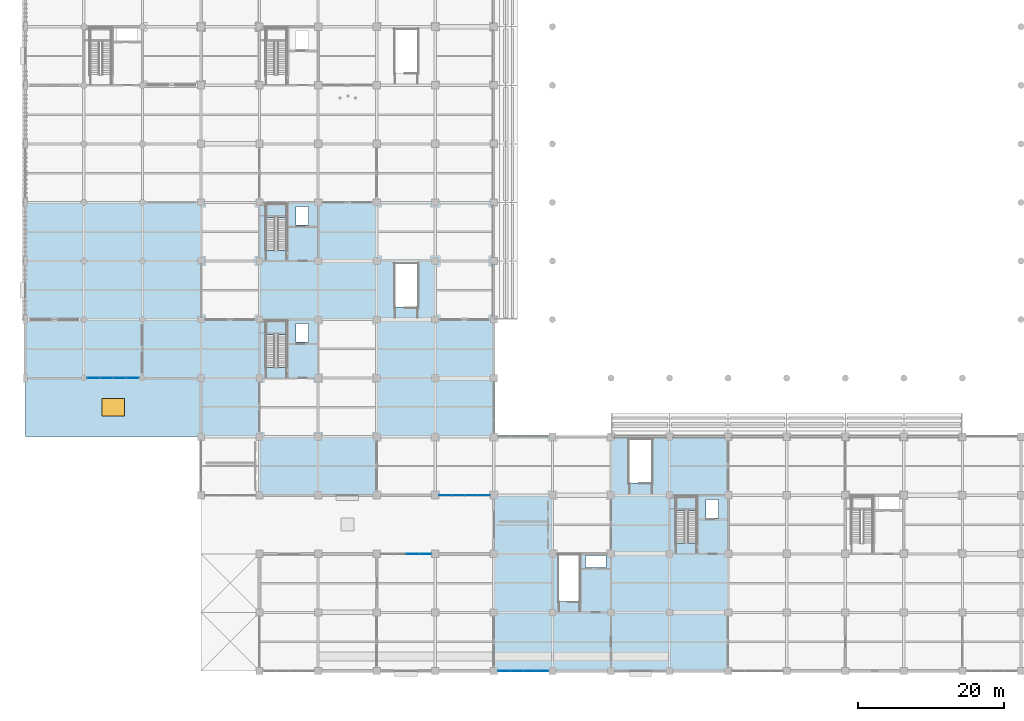
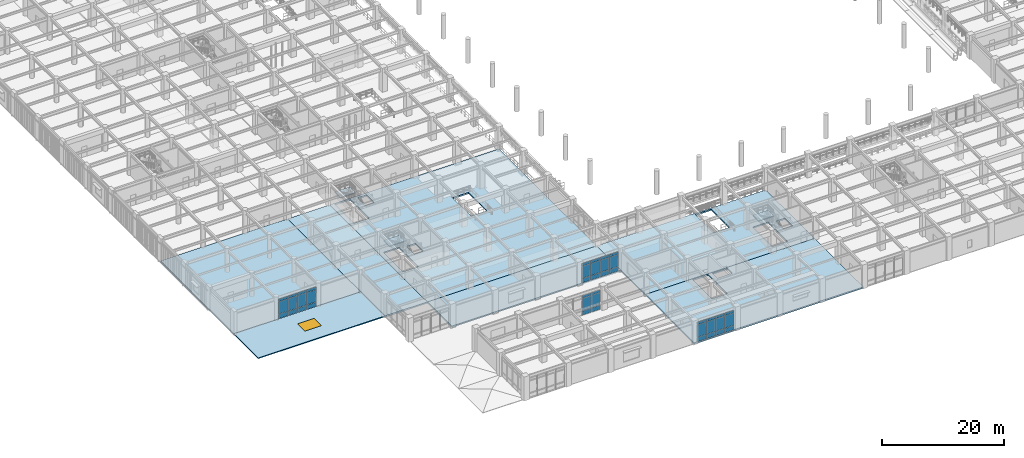
# One storey, part 57 of 117: 42 plates, 10 slabs, 1 window, 1 opening, 7 elements without a shape of their own.
"""IFC4 building model written with IfcOpenShell, lengths in metres."""

from ifc_helpers import new_model, si_unit, direction, frame, origin, origin_2d, place, context, subcontext, project, spatial, polyline, rectangle, outline, extrude, material, layer, layer_set, type_object, element, fill, aggregate, save


model = new_model("IFC4")

# Units and contexts
model_context = context("Model", 3, precision=1e-05, world=origin(), true_north=direction((0.0, 1.0)))
body_context = subcontext(model_context, "Body", "Model", "MODEL_VIEW")
ifc_project = project(units=[si_unit("LENGTHUNIT", "METRE"), si_unit("AREAUNIT", "SQUARE_METRE"), si_unit("VOLUMEUNIT", "CUBIC_METRE"), si_unit("PLANEANGLEUNIT", "RADIAN"), si_unit("MASSUNIT", "GRAM", prefix="KILO")], contexts=[model_context])

# Site, building, storey
site_placement = place(None, origin())
site = spatial("IfcSite", under=ifc_project, at=site_placement, CompositionType="ELEMENT")
building_placement = place(site_placement, origin())
building = spatial("IfcBuilding", under=site, at=building_placement, Name="Haebicheon Civic Stadium", CompositionType="ELEMENT")
storey_placement = place(building_placement, frame((0.0, 0.0, 4.800048828125)))
storey = spatial("IfcBuildingStorey", under=building, at=storey_placement, Name="L02", CompositionType="ELEMENT", Elevation=4.800048828125)

# Curtain wall, plates
ifc_material_1 = material(Name="Anodised aluminium and laminated glass", Category="aluminium")
ifc_layer_1 = layer(ifc_material_1, 0.179931640625, Name="Anodised aluminium and laminated glass")
ifc_layer_set_1 = layer_set([ifc_layer_1], Name="Anodised aluminium and laminated glass")
curtain_wall_type_1 = type_object("IfcCurtainWallType", Name="CW-7150x3950", PredefinedType="NOTDEFINED", material=ifc_layer_set_1)
curtain_wall_1_placement = place(storey_placement, origin())
curtain_wall_1 = element("IfcCurtainWall", 1, at=curtain_wall_1_placement, inside=storey, type_object=curtain_wall_type_1, material=ifc_layer_set_1, Name="L02 unitised curtain wall 033", PredefinedType="NOTDEFINED")
ifc_material_2 = material(Name="Double low-e laminated glass", Category="glass")
ifc_layer_2 = layer(ifc_material_2, 0.028076171875, Name="Double low-e laminated glass")
ifc_layer_set_2 = layer_set([ifc_layer_2], Name="Double low-e laminated glass")
plate_type_1 = type_object("IfcPlateType", Name="CWP-GLZ-28", PredefinedType="CURTAIN_PANEL", material=ifc_layer_set_2)
plate_1_placement = place(storey_placement, frame((9.3359375, 40.0, 0.93505859375), z_axis=(0.0, 0.0, 1.0), x_axis=(1.0, 0.0, 0.0)))
plate_1 = element("IfcPlate", 2, at=plate_1_placement, type_object=plate_type_1, material=ifc_layer_set_2, Name="CW-L02-033 vision panel 1.2", PredefinedType="CURTAIN_PANEL", context=body_context, shape_type="SweptSolid", body=[
    extrude(rectangle(XDim=1.68310546875, YDim=0.028076171875, at=origin_2d()), origin(), (0.0, 0.0, 1.0), 2.429931640625),
])
plate_2_placement = place(storey_placement, frame((11.10595703125, 40.0, 0.93505859375), z_axis=(0.0, 0.0, 1.0), x_axis=(1.0, 0.0, 0.0)))
plate_2 = element("IfcPlate", 3, at=plate_2_placement, type_object=plate_type_1, material=ifc_layer_set_2, Name="CW-L02-033 vision panel 2.2", PredefinedType="CURTAIN_PANEL", context=body_context, shape_type="SweptSolid", body=[
    extrude(rectangle(XDim=1.717041015625, YDim=0.028076171875, at=origin_2d()), origin(), (0.0, 0.0, 1.0), 2.429931640625),
])
plate_3_placement = place(storey_placement, frame((12.89404296875, 40.0, 0.93505859375), z_axis=(0.0, 0.0, 1.0), x_axis=(1.0, 0.0, 0.0)))
plate_3 = element("IfcPlate", 4, at=plate_3_placement, type_object=plate_type_1, material=ifc_layer_set_2, Name="CW-L02-033 vision panel 3.2", PredefinedType="CURTAIN_PANEL", context=body_context, shape_type="SweptSolid", body=[
    extrude(rectangle(XDim=1.718017578125, YDim=0.028076171875, at=origin_2d()), origin(), (0.0, 0.0, 1.0), 2.429931640625),
])
plate_4_placement = place(storey_placement, frame((14.6640625, 40.0, 0.93505859375), z_axis=(0.0, 0.0, 1.0), x_axis=(1.0, 0.0, 0.0)))
plate_4 = element("IfcPlate", 5, at=plate_4_placement, type_object=plate_type_1, material=ifc_layer_set_2, Name="CW-L02-033 vision panel 4.2", PredefinedType="CURTAIN_PANEL", context=body_context, shape_type="SweptSolid", body=[
    extrude(rectangle(XDim=1.681884765625, YDim=0.028076171875, at=origin_2d()), origin(), (0.0, 0.0, 1.0), 2.429931640625),
])

ifc_material_3 = material(Name="Anodised aluminium and laminated glass", Category="aluminium")
ifc_layer_3 = layer(ifc_material_3, 0.179931640625, Name="Anodised aluminium and laminated glass")
ifc_layer_set_3 = layer_set([ifc_layer_3], Name="Anodised aluminium and laminated glass")
curtain_wall_type_2 = type_object("IfcCurtainWallType", Name="CW-7000x3950", PredefinedType="NOTDEFINED", material=ifc_layer_set_3)
curtain_wall_2_placement = place(storey_placement, origin())
curtain_wall_2 = element("IfcCurtainWall", 6, at=curtain_wall_2_placement, inside=storey, type_object=curtain_wall_type_2, material=ifc_layer_set_3, Name="L02 unitised curtain wall 041", PredefinedType="NOTDEFINED")
plate_5_placement = place(storey_placement, frame((52.875, 16.0, 0.93505859375), z_axis=(0.0, 0.0, 1.0), x_axis=(1.0, 0.0, 0.0)))
plate_5 = element("IfcPlate", 7, at=plate_5_placement, type_object=plate_type_1, material=ifc_layer_set_2, Name="CW-L02-041 vision panel 3.2", PredefinedType="CURTAIN_PANEL", context=body_context, shape_type="SweptSolid", body=[
    extrude(rectangle(XDim=1.679931640625, YDim=0.028076171875, at=origin_2d()), origin(), (0.0, 0.0, 1.0), 2.429931640625),
])
plate_6_placement = place(storey_placement, frame((54.60791015625, 16.0, 0.93505859375), z_axis=(0.0, 0.0, 1.0), x_axis=(1.0, 0.0, 0.0)))
plate_6 = element("IfcPlate", 8, at=plate_6_placement, type_object=plate_type_1, material=ifc_layer_set_2, Name="CW-L02-041 vision panel 4.2", PredefinedType="CURTAIN_PANEL", context=body_context, shape_type="SweptSolid", body=[
    extrude(rectangle(XDim=1.64501953125, YDim=0.028076171875, at=origin_2d()), origin(), (0.0, 0.0, 1.0), 2.429931640625),
])

ifc_material_4 = material(Name="Anodised aluminium and laminated glass", Category="aluminium")
ifc_layer_4 = layer(ifc_material_4, 0.179931640625, Name="Anodised aluminium and laminated glass")
ifc_layer_set_4 = layer_set([ifc_layer_4], Name="Anodised aluminium and laminated glass")
curtain_wall_type_3 = type_object("IfcCurtainWallType", Name="CW-7000x3910", PredefinedType="NOTDEFINED", material=ifc_layer_set_4)
curtain_wall_3_placement = place(storey_placement, origin())
curtain_wall_3 = element("IfcCurtainWall", 9, at=curtain_wall_3_placement, inside=storey, type_object=curtain_wall_type_3, material=ifc_layer_set_4, Name="L02 unitised curtain wall 042", PredefinedType="NOTDEFINED")
plate_7_placement = place(storey_placement, frame((57.39208984375, 24.0, 0.93505859375), z_axis=(0.0, 0.0, 1.0), x_axis=(1.0, 0.0, 0.0)))
plate_7 = element("IfcPlate", 10, at=plate_7_placement, type_object=plate_type_1, material=ifc_layer_set_2, Name="CW-L02-042 vision panel 1.2", PredefinedType="CURTAIN_PANEL", context=body_context, shape_type="SweptSolid", body=[
    extrude(rectangle(XDim=1.64501953125, YDim=0.028076171875, at=origin_2d()), origin(), (0.0, 0.0, 1.0), 2.389892578125),
])
plate_8_placement = place(storey_placement, frame((59.125, 24.0, 0.93505859375), z_axis=(0.0, 0.0, 1.0), x_axis=(1.0, 0.0, 0.0)))
plate_8 = element("IfcPlate", 11, at=plate_8_placement, type_object=plate_type_1, material=ifc_layer_set_2, Name="CW-L02-042 vision panel 2.2", PredefinedType="CURTAIN_PANEL", context=body_context, shape_type="SweptSolid", body=[
    extrude(rectangle(XDim=1.679931640625, YDim=0.028076171875, at=origin_2d()), origin(), (0.0, 0.0, 1.0), 2.389892578125),
])
plate_9_placement = place(storey_placement, frame((60.875, 24.0, 0.93505859375), z_axis=(0.0, 0.0, 1.0), x_axis=(1.0, 0.0, 0.0)))
plate_9 = element("IfcPlate", 12, at=plate_9_placement, type_object=plate_type_1, material=ifc_layer_set_2, Name="CW-L02-042 vision panel 3.2", PredefinedType="CURTAIN_PANEL", context=body_context, shape_type="SweptSolid", body=[
    extrude(rectangle(XDim=1.679931640625, YDim=0.028076171875, at=origin_2d()), origin(), (0.0, 0.0, 1.0), 2.389892578125),
])
plate_10_placement = place(storey_placement, frame((62.60791015625, 24.0, 0.93505859375), z_axis=(0.0, 0.0, 1.0), x_axis=(1.0, 0.0, 0.0)))
plate_10 = element("IfcPlate", 13, at=plate_10_placement, type_object=plate_type_1, material=ifc_layer_set_2, Name="CW-L02-042 vision panel 4.2", PredefinedType="CURTAIN_PANEL", context=body_context, shape_type="SweptSolid", body=[
    extrude(rectangle(XDim=1.64501953125, YDim=0.028076171875, at=origin_2d()), origin(), (0.0, 0.0, 1.0), 2.389892578125),
])

curtain_wall_4_placement = place(storey_placement, origin())
curtain_wall_4 = element("IfcCurtainWall", 14, at=curtain_wall_4_placement, inside=storey, type_object=curtain_wall_type_2, material=ifc_layer_set_3, Name="L02 unitised curtain wall 044", PredefinedType="NOTDEFINED")
plate_11_placement = place(storey_placement, frame((65.39208984375, 0.0, 0.93505859375), z_axis=(0.0, 0.0, 1.0), x_axis=(1.0, 0.0, 0.0)))
plate_11 = element("IfcPlate", 15, at=plate_11_placement, type_object=plate_type_1, material=ifc_layer_set_2, Name="CW-L02-044 vision panel 1.2", PredefinedType="CURTAIN_PANEL", context=body_context, shape_type="SweptSolid", body=[
    extrude(rectangle(XDim=1.64501953125, YDim=0.028076171875, at=origin_2d()), origin(), (0.0, 0.0, 1.0), 2.429931640625),
])
plate_12_placement = place(storey_placement, frame((67.125, 0.0, 0.93505859375), z_axis=(0.0, 0.0, 1.0), x_axis=(1.0, 0.0, 0.0)))
plate_12 = element("IfcPlate", 16, at=plate_12_placement, type_object=plate_type_1, material=ifc_layer_set_2, Name="CW-L02-044 vision panel 2.2", PredefinedType="CURTAIN_PANEL", context=body_context, shape_type="SweptSolid", body=[
    extrude(rectangle(XDim=1.679931640625, YDim=0.028076171875, at=origin_2d()), origin(), (0.0, 0.0, 1.0), 2.429931640625),
])
plate_13_placement = place(storey_placement, frame((68.875, 0.0, 0.93505859375), z_axis=(0.0, 0.0, 1.0), x_axis=(1.0, 0.0, 0.0)))
plate_13 = element("IfcPlate", 17, at=plate_13_placement, type_object=plate_type_1, material=ifc_layer_set_2, Name="CW-L02-044 vision panel 3.2", PredefinedType="CURTAIN_PANEL", context=body_context, shape_type="SweptSolid", body=[
    extrude(rectangle(XDim=1.679931640625, YDim=0.028076171875, at=origin_2d()), origin(), (0.0, 0.0, 1.0), 2.429931640625),
])
plate_14_placement = place(storey_placement, frame((70.60791015625, 0.0, 0.93505859375), z_axis=(0.0, 0.0, 1.0), x_axis=(1.0, 0.0, 0.0)))
plate_14 = element("IfcPlate", 18, at=plate_14_placement, type_object=plate_type_1, material=ifc_layer_set_2, Name="CW-L02-044 vision panel 4.2", PredefinedType="CURTAIN_PANEL", context=body_context, shape_type="SweptSolid", body=[
    extrude(rectangle(XDim=1.64501953125, YDim=0.028076171875, at=origin_2d()), origin(), (0.0, 0.0, 1.0), 2.429931640625),
])

# Plate
ifc_material_5 = material(Name="Anodised aluminium 6063-T6", Category="aluminium")
ifc_layer_5 = layer(ifc_material_5, 0.053955078125, Name="Anodised aluminium 6063-T6")
ifc_layer_set_5 = layer_set([ifc_layer_5], Name="Anodised aluminium 6063-T6")
plate_type_2 = type_object("IfcPlateType", Name="CWP-SPD-54", PredefinedType="CURTAIN_PANEL", material=ifc_layer_set_5)
plate_15_placement = place(storey_placement, frame((9.3359375, 40.0, 0.034912109375), z_axis=(0.0, 0.0, 1.0), x_axis=(1.0, 0.0, 0.0)))
plate_15 = element("IfcPlate", 19, at=plate_15_placement, type_object=plate_type_2, material=ifc_layer_set_5, Name="CW-L02-033 spandrel panel 1.1", PredefinedType="CURTAIN_PANEL", context=body_context, shape_type="SweptSolid", body=[
    extrude(rectangle(XDim=1.68310546875, YDim=0.053955078125, at=origin_2d()), origin(), (0.0, 0.0, 1.0), 0.830078125),
])

plate_16_placement = place(storey_placement, frame((9.3359375, 40.0, 3.43505859375), z_axis=(0.0, 0.0, 1.0), x_axis=(1.0, 0.0, 0.0)))
plate_16 = element("IfcPlate", 20, at=plate_16_placement, type_object=plate_type_2, material=ifc_layer_set_5, Name="CW-L02-033 spandrel panel 1.3", PredefinedType="CURTAIN_PANEL", context=body_context, shape_type="SweptSolid", body=[
    extrude(rectangle(XDim=1.68310546875, YDim=0.053955078125, at=origin_2d()), origin(), (0.0, 0.0, 1.0), 0.47998046875),
])

plate_17_placement = place(storey_placement, frame((11.10595703125, 40.0, 0.034912109375), z_axis=(0.0, 0.0, 1.0), x_axis=(1.0, 0.0, 0.0)))
plate_17 = element("IfcPlate", 21, at=plate_17_placement, type_object=plate_type_2, material=ifc_layer_set_5, Name="CW-L02-033 spandrel panel 2.1", PredefinedType="CURTAIN_PANEL", context=body_context, shape_type="SweptSolid", body=[
    extrude(rectangle(XDim=1.717041015625, YDim=0.053955078125, at=origin_2d()), origin(), (0.0, 0.0, 1.0), 0.830078125),
])

plate_18_placement = place(storey_placement, frame((11.10595703125, 40.0, 3.43505859375), z_axis=(0.0, 0.0, 1.0), x_axis=(1.0, 0.0, 0.0)))
plate_18 = element("IfcPlate", 22, at=plate_18_placement, type_object=plate_type_2, material=ifc_layer_set_5, Name="CW-L02-033 spandrel panel 2.3", PredefinedType="CURTAIN_PANEL", context=body_context, shape_type="SweptSolid", body=[
    extrude(rectangle(XDim=1.717041015625, YDim=0.053955078125, at=origin_2d()), origin(), (0.0, 0.0, 1.0), 0.47998046875),
])

plate_19_placement = place(storey_placement, frame((12.89404296875, 40.0, 0.034912109375), z_axis=(0.0, 0.0, 1.0), x_axis=(1.0, 0.0, 0.0)))
plate_19 = element("IfcPlate", 23, at=plate_19_placement, type_object=plate_type_2, material=ifc_layer_set_5, Name="CW-L02-033 spandrel panel 3.1", PredefinedType="CURTAIN_PANEL", context=body_context, shape_type="SweptSolid", body=[
    extrude(rectangle(XDim=1.718017578125, YDim=0.053955078125, at=origin_2d()), origin(), (0.0, 0.0, 1.0), 0.830078125),
])

plate_20_placement = place(storey_placement, frame((12.89404296875, 40.0, 3.43505859375), z_axis=(0.0, 0.0, 1.0), x_axis=(1.0, 0.0, 0.0)))
plate_20 = element("IfcPlate", 24, at=plate_20_placement, type_object=plate_type_2, material=ifc_layer_set_5, Name="CW-L02-033 spandrel panel 3.3", PredefinedType="CURTAIN_PANEL", context=body_context, shape_type="SweptSolid", body=[
    extrude(rectangle(XDim=1.718017578125, YDim=0.053955078125, at=origin_2d()), origin(), (0.0, 0.0, 1.0), 0.47998046875),
])

plate_21_placement = place(storey_placement, frame((14.6640625, 40.0, 0.034912109375), z_axis=(0.0, 0.0, 1.0), x_axis=(1.0, 0.0, 0.0)))
plate_21 = element("IfcPlate", 25, at=plate_21_placement, type_object=plate_type_2, material=ifc_layer_set_5, Name="CW-L02-033 spandrel panel 4.1", PredefinedType="CURTAIN_PANEL", context=body_context, shape_type="SweptSolid", body=[
    extrude(rectangle(XDim=1.681884765625, YDim=0.053955078125, at=origin_2d()), origin(), (0.0, 0.0, 1.0), 0.830078125),
])

plate_22_placement = place(storey_placement, frame((14.6640625, 40.0, 3.43505859375), z_axis=(0.0, 0.0, 1.0), x_axis=(1.0, 0.0, 0.0)))
plate_22 = element("IfcPlate", 26, at=plate_22_placement, type_object=plate_type_2, material=ifc_layer_set_5, Name="CW-L02-033 spandrel panel 4.3", PredefinedType="CURTAIN_PANEL", context=body_context, shape_type="SweptSolid", body=[
    extrude(rectangle(XDim=1.681884765625, YDim=0.053955078125, at=origin_2d()), origin(), (0.0, 0.0, 1.0), 0.47998046875),
])

aggregate(curtain_wall_1, [plate_15, plate_1, plate_16, plate_17, plate_2, plate_18, plate_19, plate_3, plate_20, plate_21, plate_4, plate_22])

plate_23_placement = place(storey_placement, frame((52.875, 16.0, 0.034912109375), z_axis=(0.0, 0.0, 1.0), x_axis=(1.0, 0.0, 0.0)))
plate_23 = element("IfcPlate", 27, at=plate_23_placement, type_object=plate_type_2, material=ifc_layer_set_5, Name="CW-L02-041 spandrel panel 3.1", PredefinedType="CURTAIN_PANEL", context=body_context, shape_type="SweptSolid", body=[
    extrude(rectangle(XDim=1.679931640625, YDim=0.053955078125, at=origin_2d()), origin(), (0.0, 0.0, 1.0), 0.830078125),
])

plate_24_placement = place(storey_placement, frame((52.875, 16.0, 3.43505859375), z_axis=(0.0, 0.0, 1.0), x_axis=(1.0, 0.0, 0.0)))
plate_24 = element("IfcPlate", 28, at=plate_24_placement, type_object=plate_type_2, material=ifc_layer_set_5, Name="CW-L02-041 spandrel panel 3.3", PredefinedType="CURTAIN_PANEL", context=body_context, shape_type="SweptSolid", body=[
    extrude(rectangle(XDim=1.679931640625, YDim=0.053955078125, at=origin_2d()), origin(), (0.0, 0.0, 1.0), 0.47998046875),
])

plate_25_placement = place(storey_placement, frame((54.60791015625, 16.0, 0.034912109375), z_axis=(0.0, 0.0, 1.0), x_axis=(1.0, 0.0, 0.0)))
plate_25 = element("IfcPlate", 29, at=plate_25_placement, type_object=plate_type_2, material=ifc_layer_set_5, Name="CW-L02-041 spandrel panel 4.1", PredefinedType="CURTAIN_PANEL", context=body_context, shape_type="SweptSolid", body=[
    extrude(rectangle(XDim=1.64501953125, YDim=0.053955078125, at=origin_2d()), origin(), (0.0, 0.0, 1.0), 0.830078125),
])

plate_26_placement = place(storey_placement, frame((54.60791015625, 16.0, 3.43505859375), z_axis=(0.0, 0.0, 1.0), x_axis=(1.0, 0.0, 0.0)))
plate_26 = element("IfcPlate", 30, at=plate_26_placement, type_object=plate_type_2, material=ifc_layer_set_5, Name="CW-L02-041 spandrel panel 4.3", PredefinedType="CURTAIN_PANEL", context=body_context, shape_type="SweptSolid", body=[
    extrude(rectangle(XDim=1.64501953125, YDim=0.053955078125, at=origin_2d()), origin(), (0.0, 0.0, 1.0), 0.47998046875),
])

aggregate(curtain_wall_2, [plate_23, plate_5, plate_24, plate_25, plate_6, plate_26])

plate_27_placement = place(storey_placement, frame((57.39208984375, 24.0, 0.034912109375), z_axis=(0.0, 0.0, 1.0), x_axis=(1.0, 0.0, 0.0)))
plate_27 = element("IfcPlate", 31, at=plate_27_placement, type_object=plate_type_2, material=ifc_layer_set_5, Name="CW-L02-042 spandrel panel 1.1", PredefinedType="CURTAIN_PANEL", context=body_context, shape_type="SweptSolid", body=[
    extrude(rectangle(XDim=1.64501953125, YDim=0.053955078125, at=origin_2d()), origin(), (0.0, 0.0, 1.0), 0.830078125),
])

plate_28_placement = place(storey_placement, frame((57.39208984375, 24.0, 3.39501953125), z_axis=(0.0, 0.0, 1.0), x_axis=(1.0, 0.0, 0.0)))
plate_28 = element("IfcPlate", 32, at=plate_28_placement, type_object=plate_type_2, material=ifc_layer_set_5, Name="CW-L02-042 spandrel panel 1.3", PredefinedType="CURTAIN_PANEL", context=body_context, shape_type="SweptSolid", body=[
    extrude(rectangle(XDim=1.64501953125, YDim=0.053955078125, at=origin_2d()), origin(), (0.0, 0.0, 1.0), 0.47998046875),
])

plate_29_placement = place(storey_placement, frame((59.125, 24.0, 0.034912109375), z_axis=(0.0, 0.0, 1.0), x_axis=(1.0, 0.0, 0.0)))
plate_29 = element("IfcPlate", 33, at=plate_29_placement, type_object=plate_type_2, material=ifc_layer_set_5, Name="CW-L02-042 spandrel panel 2.1", PredefinedType="CURTAIN_PANEL", context=body_context, shape_type="SweptSolid", body=[
    extrude(rectangle(XDim=1.679931640625, YDim=0.053955078125, at=origin_2d()), origin(), (0.0, 0.0, 1.0), 0.830078125),
])

plate_30_placement = place(storey_placement, frame((59.125, 24.0, 3.39501953125), z_axis=(0.0, 0.0, 1.0), x_axis=(1.0, 0.0, 0.0)))
plate_30 = element("IfcPlate", 34, at=plate_30_placement, type_object=plate_type_2, material=ifc_layer_set_5, Name="CW-L02-042 spandrel panel 2.3", PredefinedType="CURTAIN_PANEL", context=body_context, shape_type="SweptSolid", body=[
    extrude(rectangle(XDim=1.679931640625, YDim=0.053955078125, at=origin_2d()), origin(), (0.0, 0.0, 1.0), 0.47998046875),
])

plate_31_placement = place(storey_placement, frame((60.875, 24.0, 0.034912109375), z_axis=(0.0, 0.0, 1.0), x_axis=(1.0, 0.0, 0.0)))
plate_31 = element("IfcPlate", 35, at=plate_31_placement, type_object=plate_type_2, material=ifc_layer_set_5, Name="CW-L02-042 spandrel panel 3.1", PredefinedType="CURTAIN_PANEL", context=body_context, shape_type="SweptSolid", body=[
    extrude(rectangle(XDim=1.679931640625, YDim=0.053955078125, at=origin_2d()), origin(), (0.0, 0.0, 1.0), 0.830078125),
])

plate_32_placement = place(storey_placement, frame((60.875, 24.0, 3.39501953125), z_axis=(0.0, 0.0, 1.0), x_axis=(1.0, 0.0, 0.0)))
plate_32 = element("IfcPlate", 36, at=plate_32_placement, type_object=plate_type_2, material=ifc_layer_set_5, Name="CW-L02-042 spandrel panel 3.3", PredefinedType="CURTAIN_PANEL", context=body_context, shape_type="SweptSolid", body=[
    extrude(rectangle(XDim=1.679931640625, YDim=0.053955078125, at=origin_2d()), origin(), (0.0, 0.0, 1.0), 0.47998046875),
])

plate_33_placement = place(storey_placement, frame((62.60791015625, 24.0, 0.034912109375), z_axis=(0.0, 0.0, 1.0), x_axis=(1.0, 0.0, 0.0)))
plate_33 = element("IfcPlate", 37, at=plate_33_placement, type_object=plate_type_2, material=ifc_layer_set_5, Name="CW-L02-042 spandrel panel 4.1", PredefinedType="CURTAIN_PANEL", context=body_context, shape_type="SweptSolid", body=[
    extrude(rectangle(XDim=1.64501953125, YDim=0.053955078125, at=origin_2d()), origin(), (0.0, 0.0, 1.0), 0.830078125),
])

plate_34_placement = place(storey_placement, frame((62.60791015625, 24.0, 3.39501953125), z_axis=(0.0, 0.0, 1.0), x_axis=(1.0, 0.0, 0.0)))
plate_34 = element("IfcPlate", 38, at=plate_34_placement, type_object=plate_type_2, material=ifc_layer_set_5, Name="CW-L02-042 spandrel panel 4.3", PredefinedType="CURTAIN_PANEL", context=body_context, shape_type="SweptSolid", body=[
    extrude(rectangle(XDim=1.64501953125, YDim=0.053955078125, at=origin_2d()), origin(), (0.0, 0.0, 1.0), 0.47998046875),
])

aggregate(curtain_wall_3, [plate_27, plate_7, plate_28, plate_29, plate_8, plate_30, plate_31, plate_9, plate_32, plate_33, plate_10, plate_34])

plate_35_placement = place(storey_placement, frame((65.39208984375, 0.0, 0.034912109375), z_axis=(0.0, 0.0, 1.0), x_axis=(1.0, 0.0, 0.0)))
plate_35 = element("IfcPlate", 39, at=plate_35_placement, type_object=plate_type_2, material=ifc_layer_set_5, Name="CW-L02-044 spandrel panel 1.1", PredefinedType="CURTAIN_PANEL", context=body_context, shape_type="SweptSolid", body=[
    extrude(rectangle(XDim=1.64501953125, YDim=0.053955078125, at=origin_2d()), origin(), (0.0, 0.0, 1.0), 0.830078125),
])

plate_36_placement = place(storey_placement, frame((65.39208984375, 0.0, 3.43505859375), z_axis=(0.0, 0.0, 1.0), x_axis=(1.0, 0.0, 0.0)))
plate_36 = element("IfcPlate", 40, at=plate_36_placement, type_object=plate_type_2, material=ifc_layer_set_5, Name="CW-L02-044 spandrel panel 1.3", PredefinedType="CURTAIN_PANEL", context=body_context, shape_type="SweptSolid", body=[
    extrude(rectangle(XDim=1.64501953125, YDim=0.053955078125, at=origin_2d()), origin(), (0.0, 0.0, 1.0), 0.47998046875),
])

plate_37_placement = place(storey_placement, frame((67.125, 0.0, 0.034912109375), z_axis=(0.0, 0.0, 1.0), x_axis=(1.0, 0.0, 0.0)))
plate_37 = element("IfcPlate", 41, at=plate_37_placement, type_object=plate_type_2, material=ifc_layer_set_5, Name="CW-L02-044 spandrel panel 2.1", PredefinedType="CURTAIN_PANEL", context=body_context, shape_type="SweptSolid", body=[
    extrude(rectangle(XDim=1.679931640625, YDim=0.053955078125, at=origin_2d()), origin(), (0.0, 0.0, 1.0), 0.830078125),
])

plate_38_placement = place(storey_placement, frame((67.125, 0.0, 3.43505859375), z_axis=(0.0, 0.0, 1.0), x_axis=(1.0, 0.0, 0.0)))
plate_38 = element("IfcPlate", 42, at=plate_38_placement, type_object=plate_type_2, material=ifc_layer_set_5, Name="CW-L02-044 spandrel panel 2.3", PredefinedType="CURTAIN_PANEL", context=body_context, shape_type="SweptSolid", body=[
    extrude(rectangle(XDim=1.679931640625, YDim=0.053955078125, at=origin_2d()), origin(), (0.0, 0.0, 1.0), 0.47998046875),
])

plate_39_placement = place(storey_placement, frame((68.875, 0.0, 0.034912109375), z_axis=(0.0, 0.0, 1.0), x_axis=(1.0, 0.0, 0.0)))
plate_39 = element("IfcPlate", 43, at=plate_39_placement, type_object=plate_type_2, material=ifc_layer_set_5, Name="CW-L02-044 spandrel panel 3.1", PredefinedType="CURTAIN_PANEL", context=body_context, shape_type="SweptSolid", body=[
    extrude(rectangle(XDim=1.679931640625, YDim=0.053955078125, at=origin_2d()), origin(), (0.0, 0.0, 1.0), 0.830078125),
])

plate_40_placement = place(storey_placement, frame((68.875, 0.0, 3.43505859375), z_axis=(0.0, 0.0, 1.0), x_axis=(1.0, 0.0, 0.0)))
plate_40 = element("IfcPlate", 44, at=plate_40_placement, type_object=plate_type_2, material=ifc_layer_set_5, Name="CW-L02-044 spandrel panel 3.3", PredefinedType="CURTAIN_PANEL", context=body_context, shape_type="SweptSolid", body=[
    extrude(rectangle(XDim=1.679931640625, YDim=0.053955078125, at=origin_2d()), origin(), (0.0, 0.0, 1.0), 0.47998046875),
])

plate_41_placement = place(storey_placement, frame((70.60791015625, 0.0, 0.034912109375), z_axis=(0.0, 0.0, 1.0), x_axis=(1.0, 0.0, 0.0)))
plate_41 = element("IfcPlate", 45, at=plate_41_placement, type_object=plate_type_2, material=ifc_layer_set_5, Name="CW-L02-044 spandrel panel 4.1", PredefinedType="CURTAIN_PANEL", context=body_context, shape_type="SweptSolid", body=[
    extrude(rectangle(XDim=1.64501953125, YDim=0.053955078125, at=origin_2d()), origin(), (0.0, 0.0, 1.0), 0.830078125),
])

plate_42_placement = place(storey_placement, frame((70.60791015625, 0.0, 3.43505859375), z_axis=(0.0, 0.0, 1.0), x_axis=(1.0, 0.0, 0.0)))
plate_42 = element("IfcPlate", 46, at=plate_42_placement, type_object=plate_type_2, material=ifc_layer_set_5, Name="CW-L02-044 spandrel panel 4.3", PredefinedType="CURTAIN_PANEL", context=body_context, shape_type="SweptSolid", body=[
    extrude(rectangle(XDim=1.64501953125, YDim=0.053955078125, at=origin_2d()), origin(), (0.0, 0.0, 1.0), 0.47998046875),
])

aggregate(curtain_wall_4, [plate_35, plate_11, plate_36, plate_37, plate_12, plate_38, plate_39, plate_13, plate_40, plate_41, plate_14, plate_42])

# Slabs
ifc_material_6 = material(Name="Concrete C40/50", Category="concrete")
ifc_layer_6 = layer(ifc_material_6, 0.280029296875, Name="Concrete C40/50")
ifc_layer_set_6 = layer_set([ifc_layer_6], Name="Concrete C40/50")
slab_type_1 = type_object("IfcSlabType", Name="SLB-FLR-280", PredefinedType="FLOOR", material=ifc_layer_set_6)
slab_1_placement = place(storey_placement, frame((0.0, 0.0, -0.280029296875)))
element("IfcSlab", 47, at=slab_1_placement, inside=storey, type_object=slab_type_1, material=ifc_layer_set_6, Name="L02 V1 structural slab 2.1", PredefinedType="FLOOR", context=body_context, shape_type="SweptSolid", body=[
    extrude(outline(polyline([(24.0, 32.0), (24.0, 40.0), (24.0, 48.0), (24.0, 56.0), (24.0, 64.0), (32.0, 64.0), (32.0, 56.0), (32.0, 48.0), (32.0, 40.0), (32.0, 32.0), (24.0, 32.0)])), origin(), (0.0, 0.0, 1.0), 0.280029296875),
])
slab_2_placement = place(storey_placement, frame((0.0, 0.0, -0.280029296875)))
element("IfcSlab", 48, at=slab_2_placement, inside=storey, type_object=slab_type_1, material=ifc_layer_set_6, Name="L02 V1 structural slab 7.1", PredefinedType="FLOOR", context=body_context, shape_type="SweptSolid", body=[
    extrude(outline(polyline([(32.0, 32.0), (40.0, 32.0), (48.0, 32.0), (56.0, 32.0), (64.0, 32.0), (64.0, 24.0), (56.0, 24.0), (48.0, 24.0), (40.0, 24.0), (32.0, 24.0), (32.0, 32.0)])), origin(), (0.0, 0.0, 1.0), 0.280029296875),
])
slab_3_placement = place(storey_placement, frame((0.0, 0.0, -0.280029296875)))
element("IfcSlab", 49, at=slab_3_placement, inside=storey, type_object=slab_type_1, material=ifc_layer_set_6, Name="L02 V1 structural slab 8.1", PredefinedType="FLOOR", context=body_context, shape_type="SweptSolid", body=[
    extrude(outline(polyline([(32.0, 56.0), (32.0, 64.0), (40.0, 64.0), (48.0, 64.0), (56.0, 64.0), (64.0, 64.0), (64.0, 56.0), (64.0, 48.0), (64.0, 40.0), (64.0, 32.0), (56.0, 32.0), (48.0, 32.0), (40.0, 32.0), (32.0, 32.0), (32.0, 40.0), (32.0, 48.0), (32.0, 56.0)]), holes=[polyline([(32.840087890625, 41.4599609375), (35.739990234375, 41.4599609375), (35.739990234375, 47.840087890625), (32.840087890625, 47.840087890625), (32.840087890625, 41.4599609375)]), polyline([(36.969970703125, 44.929931640625), (38.669921875, 44.929931640625), (38.669921875, 47.429931640625), (36.969970703125, 47.429931640625), (36.969970703125, 44.929931640625)]), polyline([(32.840087890625, 57.4599609375), (35.739990234375, 57.4599609375), (35.739990234375, 63.840087890625), (32.840087890625, 63.840087890625), (32.840087890625, 57.4599609375)]), polyline([(36.969970703125, 60.929931640625), (38.669921875, 60.929931640625), (38.669921875, 63.429931640625), (36.969970703125, 63.429931640625), (36.969970703125, 60.929931640625)]), polyline([(50.4599609375, 49.699951171875), (53.5, 49.699951171875), (53.5, 55.699951171875), (50.4599609375, 55.699951171875), (50.4599609375, 49.699951171875)])]), origin(), (0.0, 0.0, 1.0), 0.280029296875),
])
slab_4_placement = place(storey_placement, frame((0.0, 0.0, -0.280029296875)))
element("IfcSlab", 50, at=slab_4_placement, inside=storey, type_object=slab_type_1, material=ifc_layer_set_6, Name="L02 V2 structural slab 1.1", PredefinedType="FLOOR", context=body_context, shape_type="SweptSolid", body=[
    extrude(outline(polyline([(96.0, 16.0), (88.0, 16.0), (80.0, 16.0), (72.0, 16.0), (64.0, 16.0), (64.0, 24.0), (64.0, 32.0), (72.0, 32.0), (80.0, 32.0), (88.0, 32.0), (96.0, 32.0), (96.0, 24.0), (96.0, 16.0)]), holes=[polyline([(88.840087890625, 17.4599609375), (91.739990234375, 17.4599609375), (91.739990234375, 23.840087890625), (88.840087890625, 23.840087890625), (88.840087890625, 17.4599609375)]), polyline([(92.969970703125, 20.929931640625), (94.669921875, 20.929931640625), (94.669921875, 23.429931640625), (92.969970703125, 23.429931640625), (92.969970703125, 20.929931640625)]), polyline([(82.4599609375, 25.699951171875), (85.5, 25.699951171875), (85.5, 31.699951171875), (82.4599609375, 31.699951171875), (82.4599609375, 25.699951171875)])]), origin(), (0.0, 0.0, 1.0), 0.280029296875),
])
slab_5_placement = place(storey_placement, frame((0.0, 0.0, -0.280029296875)))
element("IfcSlab", 51, at=slab_5_placement, inside=storey, type_object=slab_type_1, material=ifc_layer_set_6, Name="L02 V5 structural slab 1.1", PredefinedType="FLOOR", context=body_context, shape_type="SweptSolid", body=[
    extrude(outline(polyline([(0.0, 56.0), (0.0, 64.0), (8.0, 64.0), (16.0, 64.0), (24.0, 64.0), (24.0, 56.0), (24.0, 48.0), (24.0, 40.0), (16.0, 40.0), (8.0, 40.0), (0.0, 40.0), (0.0, 48.0), (0.0, 56.0)])), origin(), (0.0, 0.0, 1.0), 0.280029296875),
])
slab_6_placement = place(storey_placement, frame((0.0, 0.0, -0.280029296875)))
element("IfcSlab", 52, at=slab_6_placement, inside=storey, type_object=slab_type_1, material=ifc_layer_set_6, Name="L02 V6 structural slab 2.1", PredefinedType="FLOOR", context=body_context, shape_type="SweptSolid", body=[
    extrude(outline(polyline([(96.0, 0.0), (88.0, 0.0), (80.0, 0.0), (72.0, 0.0), (64.0, 0.0), (64.0, 8.0), (64.0, 16.0), (72.0, 16.0), (80.0, 16.0), (88.0, 16.0), (96.0, 16.0), (96.0, 8.0), (96.0, 0.0)]), holes=[polyline([(72.840087890625, 9.4599609375), (75.739990234375, 9.4599609375), (75.739990234375, 15.840087890625), (72.840087890625, 15.840087890625), (72.840087890625, 9.4599609375)]), polyline([(76.550048828125, 14.14990234375), (79.35009765625, 14.14990234375), (79.35009765625, 15.75), (76.550048828125, 15.75), (76.550048828125, 14.14990234375)])]), origin(), (0.0, 0.0, 1.0), 0.280029296875),
])

# Stair, slab
ifc_material_7 = material(Name="Concrete C40/50", Category="concrete")
stair_type_1 = type_object("IfcStairType", Name="STR-DL-W126-H48", PredefinedType="HALF_TURN_STAIR", material=ifc_material_7)
stair_1_placement = place(storey_placement, origin())
stair_1 = element("IfcStair", 53, at=stair_1_placement, inside=storey, type_object=stair_type_1, material=ifc_material_7, Name="L02 Escape stair ST-01", PredefinedType="HALF_TURN_STAIR")
ifc_material_8 = material(Name="Concrete C40/50", Category="concrete")
ifc_layer_7 = layer(ifc_material_8, 0.199951171875, Name="Concrete C40/50")
ifc_layer_set_7 = layer_set([ifc_layer_7], Name="Concrete C40/50")
slab_type_2 = type_object("IfcSlabType", Name="SLB-LND-200", PredefinedType="LANDING", material=ifc_layer_set_7)
slab_7_placement = place(storey_placement, frame((0.0, 0.0, 2.199951171875)))
slab_7 = element("IfcSlab", 54, at=slab_7_placement, type_object=slab_type_2, material=ifc_layer_set_7, Name="ST-01 landing 1", PredefinedType="LANDING", context=body_context, shape_type="SweptSolid", body=[
    extrude(outline(polyline([(35.739990234375, 45.949951171875), (35.739990234375, 47.840087890625), (32.840087890625, 47.840087890625), (32.840087890625, 45.949951171875), (35.739990234375, 45.949951171875)])), origin(), (0.0, 0.0, 1.0), 0.199951171875),
])
aggregate(stair_1, [slab_7])

ifc_material_9 = material(Name="Concrete C40/50", Category="concrete")
stair_type_2 = type_object("IfcStairType", Name="STR-DL-W128-H48", PredefinedType="HALF_TURN_STAIR", material=ifc_material_9)
stair_2_placement = place(storey_placement, origin())
stair_2 = element("IfcStair", 55, at=stair_2_placement, inside=storey, type_object=stair_type_2, material=ifc_material_9, Name="L02 Escape stair ST-02", PredefinedType="HALF_TURN_STAIR")
slab_8_placement = place(storey_placement, frame((0.0, 0.0, 2.199951171875)))
slab_8 = element("IfcSlab", 56, at=slab_8_placement, type_object=slab_type_2, material=ifc_layer_set_7, Name="ST-02 landing 1", PredefinedType="LANDING", context=body_context, shape_type="SweptSolid", body=[
    extrude(outline(polyline([(35.739990234375, 61.949951171875), (35.739990234375, 63.840087890625), (32.840087890625, 63.840087890625), (32.840087890625, 61.949951171875), (35.739990234375, 61.949951171875)])), origin(), (0.0, 0.0, 1.0), 0.199951171875),
])
aggregate(stair_2, [slab_8])

stair_3_placement = place(storey_placement, origin())
stair_3 = element("IfcStair", 57, at=stair_3_placement, inside=storey, type_object=stair_type_2, material=ifc_material_9, Name="L02 Escape stair ST-06", PredefinedType="HALF_TURN_STAIR")
slab_9_placement = place(storey_placement, frame((0.0, 0.0, 2.199951171875)))
slab_9 = element("IfcSlab", 58, at=slab_9_placement, type_object=slab_type_2, material=ifc_layer_set_7, Name="ST-06 landing 1", PredefinedType="LANDING", context=body_context, shape_type="SweptSolid", body=[
    extrude(outline(polyline([(91.739990234375, 21.949951171875), (91.739990234375, 23.840087890625), (88.840087890625, 23.840087890625), (88.840087890625, 21.949951171875), (91.739990234375, 21.949951171875)])), origin(), (0.0, 0.0, 1.0), 0.199951171875),
])
aggregate(stair_3, [slab_9])

# Slab, opening, window
ifc_material_10 = material(Name="Concrete C40/50", Category="concrete")
ifc_layer_8 = layer(ifc_material_10, 0.18994140625, Name="Concrete C40/50")
ifc_layer_set_8 = layer_set([ifc_layer_8], Name="Concrete C40/50")
slab_type_3 = type_object("IfcSlabType", Name="SLB-ROOF-190", PredefinedType="ROOF", material=ifc_layer_set_8)
slab_10_placement = place(storey_placement, frame((0.0, 0.0, -0.18994140625)))
slab_10 = element("IfcSlab", 59, at=slab_10_placement, inside=storey, type_object=slab_type_3, material=ifc_layer_set_8, Name="L02 V5 roof deck slab 1", PredefinedType="ROOF", context=body_context, shape_type="SweptSolid", body=[
    extrude(outline(polyline([(0.0, 40.0), (24.0, 40.0), (24.0, 32.0), (0.0, 32.0), (0.0, 40.0)])), origin(), (0.0, 0.0, 1.0), 0.18994140625),
])
opening_placement = place(slab_10_placement, frame((12.0, 36.0, -0.010009765625)))
opening = element("IfcOpeningElement", 60, at=opening_placement, cuts=slab_10, Name="Opening SKY-310x240", PredefinedType="OPENING", context=body_context, shape_type="SweptSolid", body=[
    extrude(rectangle(XDim=3.10009765625, YDim=2.39990234375, at=origin_2d()), origin(), (0.0, 0.0, 1.0), 0.2099609375),
])
ifc_material_11 = material(Name="Anodised aluminium and laminated glass", Category="aluminium")
window_type = type_object("IfcWindowType", Name="SKY-310x240", PartitioningType="SINGLE_PANEL", PredefinedType="SKYLIGHT", material=ifc_material_11)
window_placement = place(slab_10_placement, frame((12.0, 36.0, 0.139892578125)))
window = element("IfcWindow", 61, at=window_placement, inside=storey, type_object=window_type, material=ifc_material_11, Name="L02 glazed roof skylight 06", OverallHeight=2.39990234375, OverallWidth=3.10009765625, PartitioningType="SINGLE_PANEL", PredefinedType="SKYLIGHT", context=body_context, shape_type="SweptSolid", body=[
    extrude(rectangle(XDim=3.10009765625, YDim=2.39990234375, at=origin_2d()), origin(), (0.0, 0.0, 1.0), 0.050048828125),
])
fill(opening, window)

save(model, "model.ifc")
